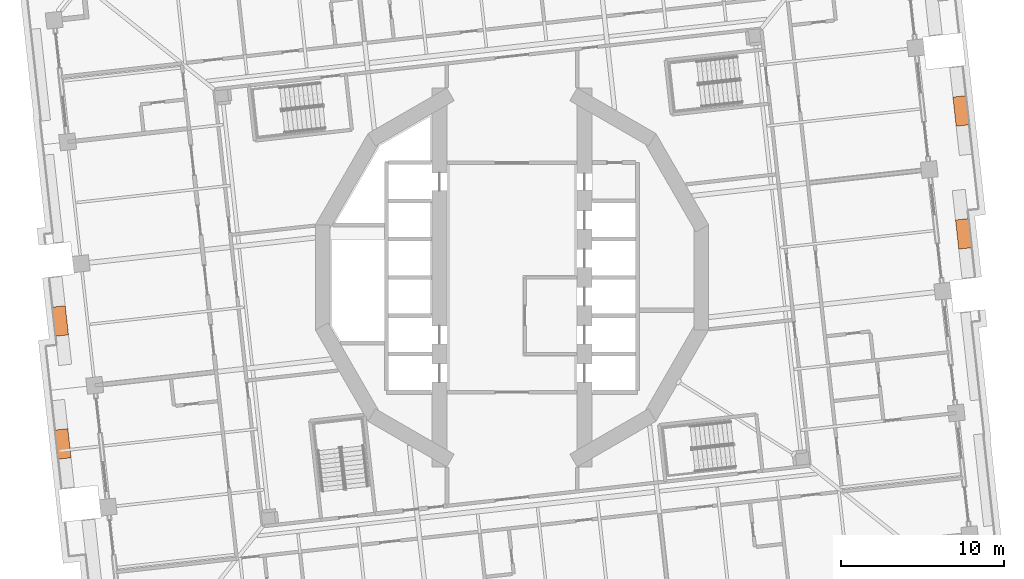
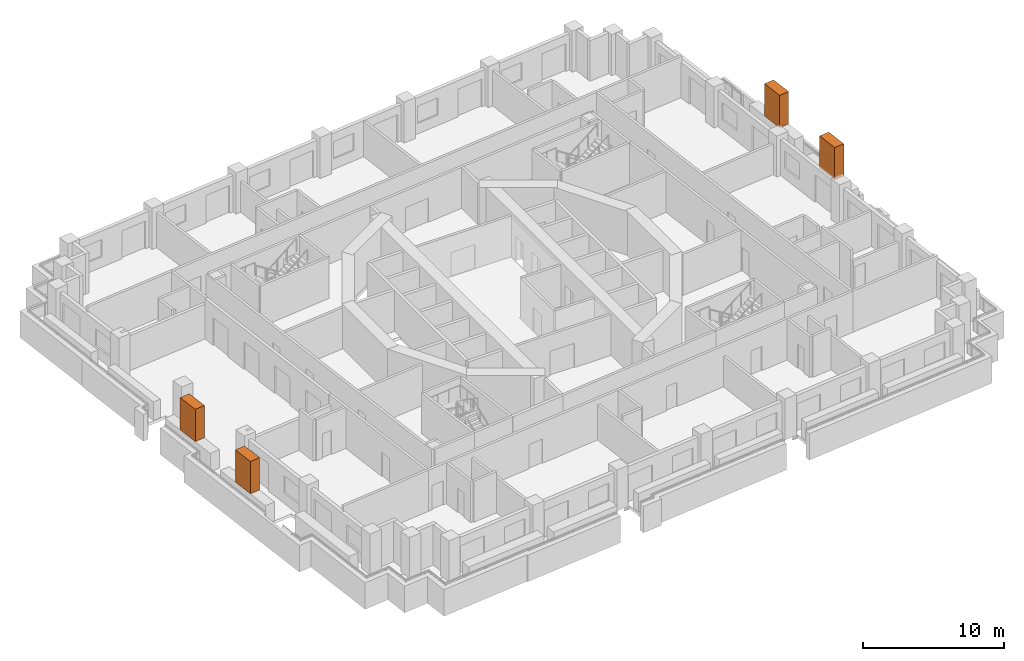
# One storey, part 19 of 19: 4 proxies.
"""IFC4 building model written with IfcOpenShell, lengths in metres."""

from ifc_helpers import new_model, si_unit, direction, frame, origin, origin_2d, place, context, subcontext, project, spatial, rectangle, extrude, element, save


model = new_model("IFC4")

# Units and contexts
model_context = context("Model", 3, precision=1e-05, world=origin(), true_north=direction((0.0, 1.0)))
body_context = subcontext(model_context, "Body", "Model", "MODEL_VIEW")
ifc_project = project(units=[si_unit("LENGTHUNIT", "METRE"), si_unit("AREAUNIT", "SQUARE_METRE"), si_unit("VOLUMEUNIT", "CUBIC_METRE"), si_unit("PLANEANGLEUNIT", "RADIAN"), si_unit("MASSUNIT", "GRAM", prefix="KILO")], contexts=[model_context])

# Site, building, storey
site_placement = place(None, origin())
site = spatial("IfcSite", under=ifc_project, at=site_placement, CompositionType="ELEMENT")
building_placement = place(site_placement, origin())
building = spatial("IfcBuilding", under=site, at=building_placement, Name="Cantera Rosa Tower", CompositionType="ELEMENT")
storey_placement = place(building_placement, frame((0.0, 0.0, 65.300048828125)))
storey = spatial("IfcBuildingStorey", under=building, at=storey_placement, Name="L13", CompositionType="ELEMENT", Elevation=65.300048828125)

# Proxies
for number, where, z_axis, x_axis, name in (
    (1, (27.733642578125, 2.67578125, 1.60009765625), (0.0, 0.0, 1.0), (-0.110312555526, 0.993896946415, 0.0), "TREE L13-03"),
    (2, (27.5732421875, 10.22412109375, 1.60009765625), (0.0, 0.0, 1.0), (-0.110312555526, 0.993896946415, 0.0), "TREE L13-04"),
    (3, (-27.733642578125, -2.67578125, 1.60009765625), (0.0, 0.0, 1.0), (0.110312555526, -0.993896946415, 0.0), "TREE L13-14"),
    (4, (-27.5732421875, -10.22412109375, 1.60009765625), (0.0, 0.0, 1.0), (0.110312555526, -0.993896946415, 0.0), "TREE L13-15"),
):
    element("IfcBuildingElementProxy", number, at=place(storey_placement, frame(where, z_axis=z_axis, x_axis=x_axis)), inside=storey, Name=name, ObjectType="TREE", PredefinedType="USERDEFINED", context=body_context, shape_type="SweptSolid", body=[
        extrude(rectangle(XDim=1.800048828125, YDim=0.800048828125, at=origin_2d()), origin(), (0.0, 0.0, 1.0), 2.800048828125),
    ])

save(model, "model.ifc")
